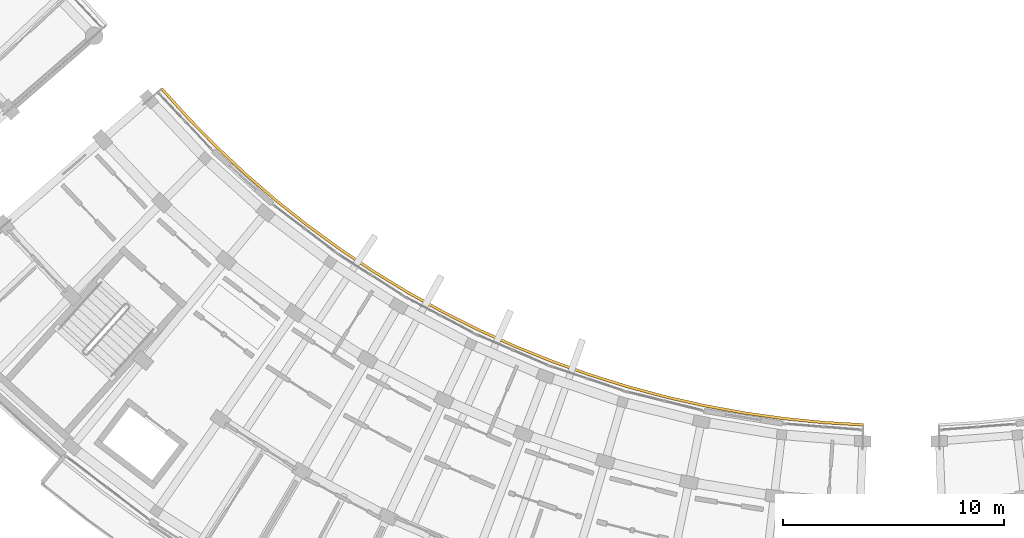
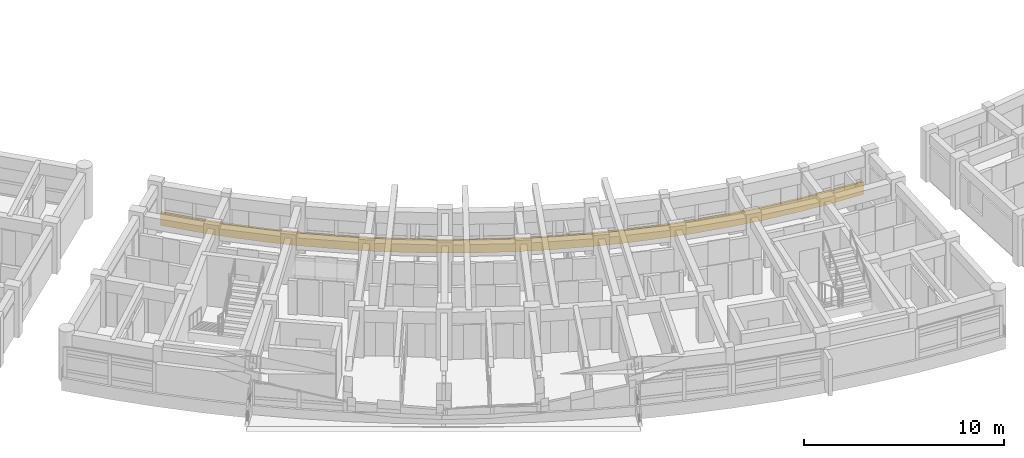
# One storey, part 49 of 55: 1 railing.
"""IFC4 building model written with IfcOpenShell, lengths in metres."""

from ifc_helpers import new_model, si_unit, direction, frame, origin, place, context, subcontext, project, spatial, polyline, outline, extrude, material, type_object, element, save


model = new_model("IFC4")

# Units and contexts
model_context = context("Model", 3, precision=1e-05, world=origin(), true_north=direction((0.0, 1.0)))
body_context = subcontext(model_context, "Body", "Model", "MODEL_VIEW")
ifc_project = project(units=[si_unit("LENGTHUNIT", "METRE"), si_unit("AREAUNIT", "SQUARE_METRE"), si_unit("VOLUMEUNIT", "CUBIC_METRE"), si_unit("PLANEANGLEUNIT", "RADIAN"), si_unit("MASSUNIT", "GRAM", prefix="KILO")], contexts=[model_context])

# Site, building, storey
site_placement = place(None, origin())
site = spatial("IfcSite", under=ifc_project, at=site_placement, CompositionType="ELEMENT")
building_placement = place(site_placement, origin())
building = spatial("IfcBuilding", under=site, at=building_placement, Name="Zimvara Arc Housing Community", CompositionType="ELEMENT")
storey_placement = place(building_placement, frame((0.0, 0.0, 14.300048828125)))
storey = spatial("IfcBuildingStorey", under=building, at=storey_placement, Name="L04", CompositionType="ELEMENT", Elevation=14.300048828125)

# Railing
ifc_material = material(Name="Pale-Gold Anodised Aluminium AW-6063", Category="aluminium")
railing_type = type_object("IfcRailingType", Name="RLG-FAS-780", PredefinedType="BALUSTRADE", material=ifc_material)
railing_placement = place(storey_placement, frame((0.0, 0.0, -0.219970703125)))
element("IfcRailing", 1, at=railing_placement, inside=storey, type_object=railing_type, Name="rlg:blkC:L04:gold_in", PredefinedType="BALUSTRADE", context=body_context, shape_type="SweptSolid", body=[
    extrude(outline(polyline([(92.440673828125, 80.704833984375), (93.6591796875, 79.359619140625), (94.931396484375, 78.0654296875), (96.25537109375, 76.82421875), (97.62890625, 75.63818359375), (99.0498046875, 74.50927734375), (100.515625, 73.439208984375), (102.02392578125, 72.4296875), (103.572265625, 71.48291015625), (105.15771484375, 70.60009765625), (106.778076171875, 69.782470703125), (108.430419921875, 69.031982421875), (110.112060546875, 68.349609375), (111.820068359375, 67.736328125), (113.5517578125, 67.193115234375), (115.30419921875, 66.721435546875), (117.074462890625, 66.321533203125), (118.859619140625, 65.994140625), (120.656494140625, 65.739990234375), (122.46240234375, 65.559326171875), (124.27392578125, 65.45263671875), (124.278564453125, 65.57275390625), (122.471923828125, 65.678955078125), (120.6708984375, 65.859130859375), (118.87890625, 66.112548828125), (117.0986328125, 66.43896484375), (115.3330078125, 66.837890625), (113.58544921875, 67.308349609375), (111.8583984375, 67.849853515625), (110.155029296875, 68.461669921875), (108.477783203125, 69.142333984375), (106.830078125, 69.890869140625), (105.214111328125, 70.7060546875), (103.6328125, 71.58642578125), (102.088623046875, 72.53076171875), (100.58447265625, 73.537353515625), (99.12255859375, 74.604736328125), (97.70556640625, 75.73046875), (96.335693359375, 76.91357421875), (95.01513671875, 78.1513671875), (93.746337890625, 79.442138671875), (92.53125, 80.783447265625), (92.440673828125, 80.704833984375)])), origin(), (0.0, 0.0, 1.0), 0.780029296875),
])

save(model, "model.ifc")
